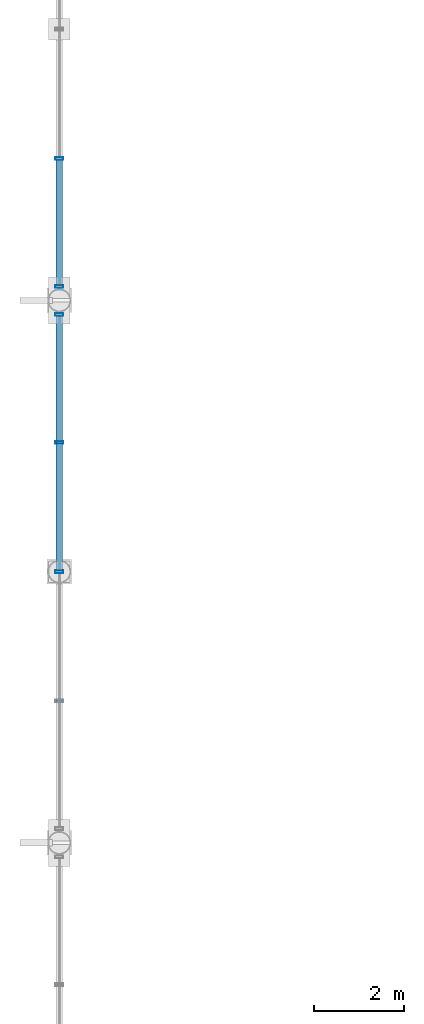
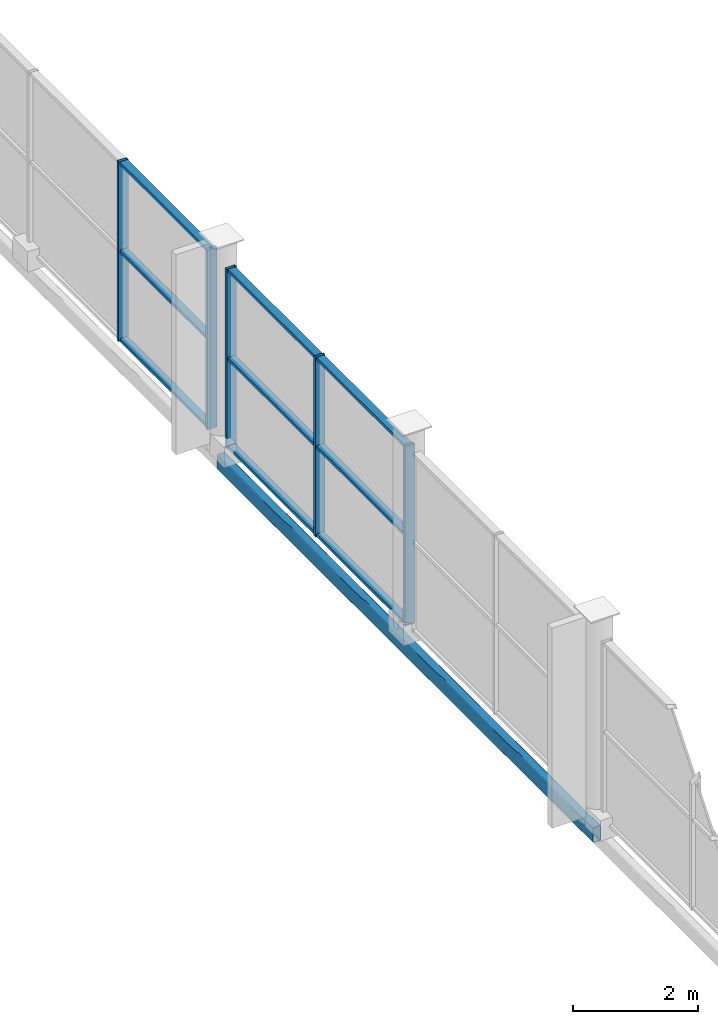
# One storey, part 34 of 117: 14 members, 1 beam, 2 elements without a shape of their own.
"""IFC4 building model written with IfcOpenShell, lengths in metres."""

from ifc_helpers import new_model, si_unit, direction, frame, origin, origin_2d, place, context, subcontext, project, spatial, hollow_rectangle, extrude, material, material_profile, profile_set, type_object, element, aggregate, save


model = new_model("IFC4")

# Units and contexts
model_context = context("Model", 3, precision=1e-05, world=origin(), true_north=direction((0.0, 1.0)))
body_context = subcontext(model_context, "Body", "Model", "MODEL_VIEW")
ifc_project = project(units=[si_unit("LENGTHUNIT", "METRE"), si_unit("AREAUNIT", "SQUARE_METRE"), si_unit("VOLUMEUNIT", "CUBIC_METRE"), si_unit("PLANEANGLEUNIT", "RADIAN"), si_unit("MASSUNIT", "GRAM", prefix="KILO")], contexts=[model_context])

# Site, building, storey
site_placement = place(None, origin())
site = spatial("IfcSite", under=ifc_project, at=site_placement, CompositionType="ELEMENT")
building_placement = place(site_placement, origin())
building = spatial("IfcBuilding", under=site, at=building_placement, Name="Merenkruunu Market Hall", CompositionType="ELEMENT")
storey_placement = place(building_placement, frame((0.0, 0.0, 10.199951171875)))
storey = spatial("IfcBuildingStorey", under=building, at=storey_placement, Name="L02", CompositionType="ELEMENT", Elevation=10.199951171875)

# Curtain wall, members
ifc_material_1 = material(Name="Powder-coated aluminium", Category="aluminium")
curtain_wall_type = type_object("IfcCurtainWallType", Name="Glazed Curtain Wall CW13", PredefinedType="USERDEFINED", material=ifc_material_1)
curtain_wall_1_placement = place(storey_placement, origin())
curtain_wall_1 = element("IfcCurtainWall", 1, at=curtain_wall_1_placement, inside=storey, type_object=curtain_wall_type, Name="CW-L02-CWM02-009", ObjectType="GLAZED_FACADE", PredefinedType="USERDEFINED")
ifc_material_profile_1 = material_profile(ifc_material_1, hollow_rectangle(XDim=0.06005859375, YDim=0.179931640625, WallThickness=0.00390625, at=origin_2d()), Name="ALU 60x180x4")
ifc_profile_set_1 = profile_set([ifc_material_profile_1], Name="Powder-coated aluminium")
member_type_1 = type_object("IfcMemberType", Name="Curtain Wall Mullion CWM02", PredefinedType="MULLION", material=ifc_profile_set_1)
member_1_placement = place(storey_placement, frame((0.0, 45.60009765625, 0.0), z_axis=(0.0, 0.0, 1.0), x_axis=(0.0, 1.0, 0.0)))
member_1 = element("IfcMember", 2, at=member_1_placement, type_object=member_type_1, Name="CW13 mullion 3", PredefinedType="MULLION", context=body_context, shape_type="SweptSolid", body=[
    extrude(hollow_rectangle(XDim=0.06005859375, YDim=0.179931640625, WallThickness=0.00390625, at=origin_2d()), origin(), (0.0, 0.0, 1.0), 3.5),
])
member_2_placement = place(storey_placement, frame((0.0, 48.4599609375, 0.0), z_axis=(0.0, 0.0, 1.0), x_axis=(0.0, 1.0, 0.0)))
member_2 = element("IfcMember", 3, at=member_2_placement, type_object=member_type_1, Name="CW13 mullion 4", PredefinedType="MULLION", context=body_context, shape_type="SweptSolid", body=[
    extrude(hollow_rectangle(XDim=0.06005859375, YDim=0.179931640625, WallThickness=0.00390625, at=origin_2d()), origin(), (0.0, 0.0, 1.0), 3.5),
])
member_3_placement = place(storey_placement, frame((0.0, 51.2900390625, 0.0), z_axis=(0.0, 0.0, 1.0), x_axis=(0.0, 1.0, 0.0)))
member_3 = element("IfcMember", 4, at=member_3_placement, type_object=member_type_1, Name="CW13 mullion 5", PredefinedType="MULLION", context=body_context, shape_type="SweptSolid", body=[
    extrude(hollow_rectangle(XDim=0.06005859375, YDim=0.179931640625, WallThickness=0.00390625, at=origin_2d()), origin(), (0.0, 0.0, 1.0), 3.5),
])

curtain_wall_2_placement = place(storey_placement, origin())
curtain_wall_2 = element("IfcCurtainWall", 5, at=curtain_wall_2_placement, inside=storey, type_object=curtain_wall_type, Name="CW-L02-CWM02-012", ObjectType="GLAZED_FACADE", PredefinedType="USERDEFINED")
member_4_placement = place(storey_placement, frame((0.0, 51.909912109375, 0.0), z_axis=(0.0, 0.0, 1.0), x_axis=(0.0, 1.0, 0.0)))
member_4 = element("IfcMember", 6, at=member_4_placement, type_object=member_type_1, Name="CW13 mullion 1", PredefinedType="MULLION", context=body_context, shape_type="SweptSolid", body=[
    extrude(hollow_rectangle(XDim=0.06005859375, YDim=0.179931640625, WallThickness=0.00390625, at=origin_2d()), origin(), (0.0, 0.0, 1.0), 3.5),
])
member_5_placement = place(storey_placement, frame((0.0, 54.739990234375, 0.0), z_axis=(0.0, 0.0, 1.0), x_axis=(0.0, 1.0, 0.0)))
member_5 = element("IfcMember", 7, at=member_5_placement, type_object=member_type_1, Name="CW13 mullion 2", PredefinedType="MULLION", context=body_context, shape_type="SweptSolid", body=[
    extrude(hollow_rectangle(XDim=0.06005859375, YDim=0.179931640625, WallThickness=0.00390625, at=origin_2d()), origin(), (0.0, 0.0, 1.0), 3.5),
])

# Member
ifc_material_profile_2 = material_profile(ifc_material_1, hollow_rectangle(XDim=0.06005859375, YDim=0.139892578125, WallThickness=0.00390625, at=origin_2d()), Name="ALU 60x140x4")
ifc_profile_set_2 = profile_set([ifc_material_profile_2], Name="Powder-coated aluminium")
member_type_2 = type_object("IfcMemberType", Name="Curtain Wall Transom CWT02", PredefinedType="USERDEFINED", material=ifc_profile_set_2)
member_6_placement = place(storey_placement, frame((0.0, 45.6298828125, 0.030029296875), z_axis=(0.0, 1.0, 0.0), x_axis=(0.0, 0.0, 1.0)))
member_6 = element("IfcMember", 8, at=member_6_placement, type_object=member_type_2, Name="CW13 transom 3.1", ObjectType="TRANSOM", PredefinedType="USERDEFINED", context=body_context, shape_type="SweptSolid", body=[
    extrude(hollow_rectangle(XDim=0.06005859375, YDim=0.139892578125, WallThickness=0.00390625, at=origin_2d()), origin(), (0.0, 0.0, 1.0), 2.800048828125),
])

member_7_placement = place(storey_placement, frame((0.0, 45.6298828125, 1.75), z_axis=(0.0, 1.0, 0.0), x_axis=(0.0, 0.0, 1.0)))
member_7 = element("IfcMember", 9, at=member_7_placement, type_object=member_type_2, Name="CW13 transom 3.2", ObjectType="TRANSOM", PredefinedType="USERDEFINED", context=body_context, shape_type="SweptSolid", body=[
    extrude(hollow_rectangle(XDim=0.06005859375, YDim=0.139892578125, WallThickness=0.00390625, at=origin_2d()), origin(), (0.0, 0.0, 1.0), 2.800048828125),
])

member_8_placement = place(storey_placement, frame((0.0, 45.6298828125, 3.469970703125), z_axis=(0.0, 1.0, 0.0), x_axis=(0.0, 0.0, 1.0)))
member_8 = element("IfcMember", 10, at=member_8_placement, type_object=member_type_2, Name="CW13 transom 3.3", ObjectType="TRANSOM", PredefinedType="USERDEFINED", context=body_context, shape_type="SweptSolid", body=[
    extrude(hollow_rectangle(XDim=0.06005859375, YDim=0.139892578125, WallThickness=0.00390625, at=origin_2d()), origin(), (0.0, 0.0, 1.0), 2.800048828125),
])

member_9_placement = place(storey_placement, frame((0.0, 48.489990234375, 0.030029296875), z_axis=(0.0, 1.0, 0.0), x_axis=(0.0, 0.0, 1.0)))
member_9 = element("IfcMember", 11, at=member_9_placement, type_object=member_type_2, Name="CW13 transom 4.1", ObjectType="TRANSOM", PredefinedType="USERDEFINED", context=body_context, shape_type="SweptSolid", body=[
    extrude(hollow_rectangle(XDim=0.06005859375, YDim=0.139892578125, WallThickness=0.00390625, at=origin_2d()), origin(), (0.0, 0.0, 1.0), 2.77001953125),
])

member_10_placement = place(storey_placement, frame((0.0, 48.489990234375, 1.75), z_axis=(0.0, 1.0, 0.0), x_axis=(0.0, 0.0, 1.0)))
member_10 = element("IfcMember", 12, at=member_10_placement, type_object=member_type_2, Name="CW13 transom 4.2", ObjectType="TRANSOM", PredefinedType="USERDEFINED", context=body_context, shape_type="SweptSolid", body=[
    extrude(hollow_rectangle(XDim=0.06005859375, YDim=0.139892578125, WallThickness=0.00390625, at=origin_2d()), origin(), (0.0, 0.0, 1.0), 2.77001953125),
])

member_11_placement = place(storey_placement, frame((0.0, 48.489990234375, 3.469970703125), z_axis=(0.0, 1.0, 0.0), x_axis=(0.0, 0.0, 1.0)))
member_11 = element("IfcMember", 13, at=member_11_placement, type_object=member_type_2, Name="CW13 transom 4.3", ObjectType="TRANSOM", PredefinedType="USERDEFINED", context=body_context, shape_type="SweptSolid", body=[
    extrude(hollow_rectangle(XDim=0.06005859375, YDim=0.139892578125, WallThickness=0.00390625, at=origin_2d()), origin(), (0.0, 0.0, 1.0), 2.77001953125),
])

aggregate(curtain_wall_1, [member_1, member_2, member_3, member_6, member_7, member_8, member_9, member_10, member_11])

member_12_placement = place(storey_placement, frame((0.0, 51.93994140625, 0.030029296875), z_axis=(0.0, 1.0, 0.0), x_axis=(0.0, 0.0, 1.0)))
member_12 = element("IfcMember", 14, at=member_12_placement, type_object=member_type_2, Name="CW13 transom 1.1", ObjectType="TRANSOM", PredefinedType="USERDEFINED", context=body_context, shape_type="SweptSolid", body=[
    extrude(hollow_rectangle(XDim=0.06005859375, YDim=0.139892578125, WallThickness=0.00390625, at=origin_2d()), origin(), (0.0, 0.0, 1.0), 2.77001953125),
])

member_13_placement = place(storey_placement, frame((0.0, 51.93994140625, 1.75), z_axis=(0.0, 1.0, 0.0), x_axis=(0.0, 0.0, 1.0)))
member_13 = element("IfcMember", 15, at=member_13_placement, type_object=member_type_2, Name="CW13 transom 1.2", ObjectType="TRANSOM", PredefinedType="USERDEFINED", context=body_context, shape_type="SweptSolid", body=[
    extrude(hollow_rectangle(XDim=0.06005859375, YDim=0.139892578125, WallThickness=0.00390625, at=origin_2d()), origin(), (0.0, 0.0, 1.0), 2.77001953125),
])

member_14_placement = place(storey_placement, frame((0.0, 51.93994140625, 3.469970703125), z_axis=(0.0, 1.0, 0.0), x_axis=(0.0, 0.0, 1.0)))
member_14 = element("IfcMember", 16, at=member_14_placement, type_object=member_type_2, Name="CW13 transom 1.3", ObjectType="TRANSOM", PredefinedType="USERDEFINED", context=body_context, shape_type="SweptSolid", body=[
    extrude(hollow_rectangle(XDim=0.06005859375, YDim=0.139892578125, WallThickness=0.00390625, at=origin_2d()), origin(), (0.0, 0.0, 1.0), 2.77001953125),
])

aggregate(curtain_wall_2, [member_4, member_5, member_12, member_13, member_14])

# Beam
ifc_material_2 = material(Name="Steel S355J2", Category="steel")
ifc_material_profile_3 = material_profile(ifc_material_2, hollow_rectangle(XDim=0.14990234375, YDim=0.300048828125, WallThickness=0.012451171875, InnerFilletRadius=0.012451171875, OuterFilletRadius=0.02490234375, at=origin_2d()), Name="RHS 300x150x12.5")
ifc_profile_set_3 = profile_set([ifc_material_profile_3], Name="Steel S355J2")
beam_type = type_object("IfcBeamType", Name="Perimeter Spandrel Beam SP03", PredefinedType="SPANDREL", material=ifc_profile_set_3)
beam_placement = place(storey_placement, frame((0.0, 39.60009765625, -0.4599609375), z_axis=(0.0, 1.0, 0.0), x_axis=(-1.0, 0.0, 0.0)))
element("IfcBeam", 17, at=beam_placement, inside=storey, type_object=beam_type, Name="BM-L02-SP03-1223", PredefinedType="SPANDREL", context=body_context, shape_type="SweptSolid", body=[
    extrude(hollow_rectangle(XDim=0.14990234375, YDim=0.300048828125, WallThickness=0.012451171875, InnerFilletRadius=0.012451171875, OuterFilletRadius=0.02490234375, at=origin_2d()), origin(), (0.0, 0.0, 1.0), 12.0),
])

save(model, "model.ifc")
